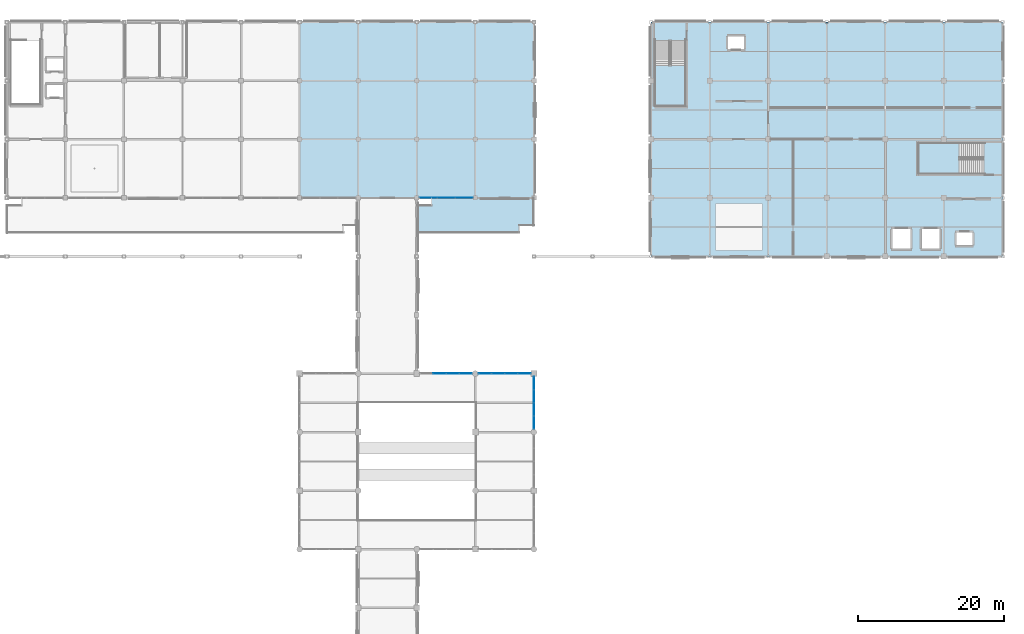
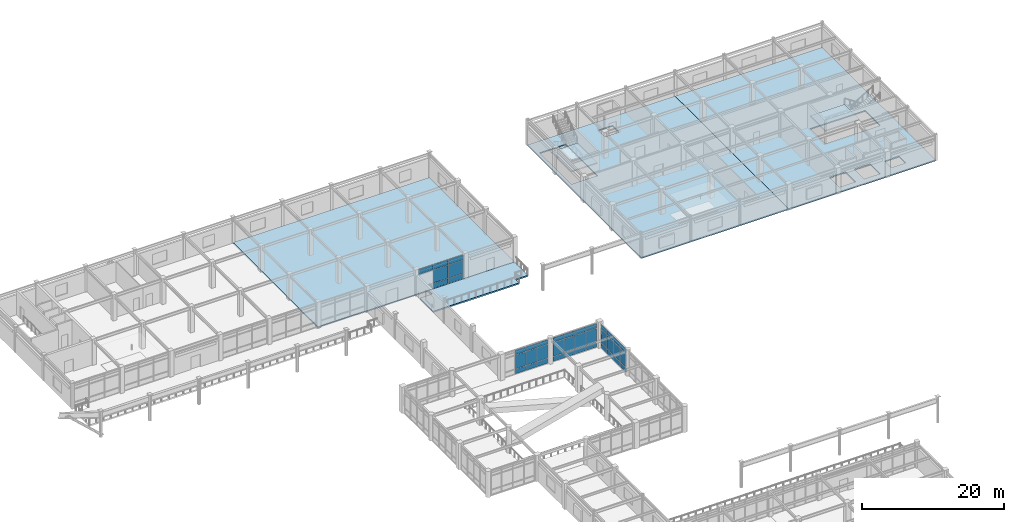
# One storey, part 58 of 78: 40 plates, 6 slabs, 6 elements without a shape of their own.
"""IFC4 building model written with IfcOpenShell, lengths in metres."""

from ifc_helpers import new_model, si_unit, direction, frame, origin, origin_2d, place, context, subcontext, project, spatial, polyline, rectangle, outline, extrude, material, layer, layer_set, type_object, element, aggregate, save


model = new_model("IFC4")

# Units and contexts
model_context = context("Model", 3, precision=1e-05, world=origin(), true_north=direction((0.0, 1.0)))
body_context = subcontext(model_context, "Body", "Model", "MODEL_VIEW")
ifc_project = project(units=[si_unit("LENGTHUNIT", "METRE"), si_unit("AREAUNIT", "SQUARE_METRE"), si_unit("VOLUMEUNIT", "CUBIC_METRE"), si_unit("PLANEANGLEUNIT", "RADIAN"), si_unit("MASSUNIT", "GRAM", prefix="KILO")], contexts=[model_context])

# Site, building, storey
site_placement = place(None, origin())
site = spatial("IfcSite", under=ifc_project, at=site_placement, CompositionType="ELEMENT")
building_placement = place(site_placement, origin())
building = spatial("IfcBuilding", under=site, at=building_placement, Name="Solmirada Galleria", CompositionType="ELEMENT")
storey_placement = place(building_placement, frame((0.0, 0.0, 23.89990234375)))
storey = spatial("IfcBuildingStorey", under=building, at=storey_placement, Name="L05", CompositionType="ELEMENT", Elevation=23.89990234375)

# Curtain wall, plates
ifc_material_1 = material(Name="Impact-resistant low-E double glazing", Category="glass")
curtain_wall_type_1 = type_object("IfcCurtainWallType", Name="CW-FZ3-L05-B4-L072", PredefinedType="NOTDEFINED", material=ifc_material_1)
curtain_wall_1_placement = place(storey_placement, origin())
curtain_wall_1 = element("IfcCurtainWall", 1, at=curtain_wall_1_placement, inside=storey, type_object=curtain_wall_type_1, Name="Terrace and arcade storefront CW-L05-174", PredefinedType="NOTDEFINED")
ifc_layer_1 = layer(ifc_material_1, 0.028076171875)
ifc_layer_set_1 = layer_set([ifc_layer_1], Name="Impact-resistant low-E double glazing")
plate_type_1 = type_object("IfcPlateType", Name="CW-PNL-CW33-T28", PredefinedType="CURTAIN_PANEL", material=ifc_layer_set_1)
plate_1_placement = place(storey_placement, frame((99.1005859375, 72.0, 0.06005859375), z_axis=(0.0, 0.0, 1.0), x_axis=(1.0, 0.0, 0.0)))
plate_1 = element("IfcPlate", 2, at=plate_1_placement, type_object=plate_type_1, Name="CW33 panel 2.1", PredefinedType="CURTAIN_PANEL", context=body_context, shape_type="SweptSolid", body=[
    extrude(rectangle(XDim=1.739013671875, YDim=0.028076171875, at=origin_2d()), origin(), (0.0, 0.0, 1.0), 0.81005859375),
])
plate_2_placement = place(storey_placement, frame((99.1005859375, 72.0, 0.929931640625), z_axis=(0.0, 0.0, 1.0), x_axis=(1.0, 0.0, 0.0)))
plate_2 = element("IfcPlate", 3, at=plate_2_placement, type_object=plate_type_1, Name="CW33 panel 2.2", PredefinedType="CURTAIN_PANEL", context=body_context, shape_type="SweptSolid", body=[
    extrude(rectangle(XDim=1.739013671875, YDim=0.028076171875, at=origin_2d()), origin(), (0.0, 0.0, 1.0), 2.35009765625),
])
plate_3_placement = place(storey_placement, frame((99.1005859375, 72.0, 3.33984375), z_axis=(0.0, 0.0, 1.0), x_axis=(1.0, 0.0, 0.0)))
plate_3 = element("IfcPlate", 4, at=plate_3_placement, type_object=plate_type_1, Name="CW33 panel 2.3", PredefinedType="CURTAIN_PANEL", context=body_context, shape_type="SweptSolid", body=[
    extrude(rectangle(XDim=1.739013671875, YDim=0.028076171875, at=origin_2d()), origin(), (0.0, 0.0, 1.0), 0.820068359375),
])
plate_4_placement = place(storey_placement, frame((100.8994140625, 72.0, 0.06005859375), z_axis=(0.0, 0.0, 1.0), x_axis=(1.0, 0.0, 0.0)))
plate_4 = element("IfcPlate", 5, at=plate_4_placement, type_object=plate_type_1, Name="CW33 panel 3.1", PredefinedType="CURTAIN_PANEL", context=body_context, shape_type="SweptSolid", body=[
    extrude(rectangle(XDim=1.739013671875, YDim=0.028076171875, at=origin_2d()), origin(), (0.0, 0.0, 1.0), 0.81005859375),
])
plate_5_placement = place(storey_placement, frame((100.8994140625, 72.0, 0.929931640625), z_axis=(0.0, 0.0, 1.0), x_axis=(1.0, 0.0, 0.0)))
plate_5 = element("IfcPlate", 6, at=plate_5_placement, type_object=plate_type_1, Name="CW33 panel 3.2", PredefinedType="CURTAIN_PANEL", context=body_context, shape_type="SweptSolid", body=[
    extrude(rectangle(XDim=1.739013671875, YDim=0.028076171875, at=origin_2d()), origin(), (0.0, 0.0, 1.0), 2.35009765625),
])
plate_6_placement = place(storey_placement, frame((100.8994140625, 72.0, 3.33984375), z_axis=(0.0, 0.0, 1.0), x_axis=(1.0, 0.0, 0.0)))
plate_6 = element("IfcPlate", 7, at=plate_6_placement, type_object=plate_type_1, Name="CW33 panel 3.3", PredefinedType="CURTAIN_PANEL", context=body_context, shape_type="SweptSolid", body=[
    extrude(rectangle(XDim=1.739013671875, YDim=0.028076171875, at=origin_2d()), origin(), (0.0, 0.0, 1.0), 0.820068359375),
])
plate_7_placement = place(storey_placement, frame((102.68359375, 72.0, 0.06005859375), z_axis=(0.0, 0.0, 1.0), x_axis=(1.0, 0.0, 0.0)))
plate_7 = element("IfcPlate", 8, at=plate_7_placement, type_object=plate_type_1, Name="CW33 panel 4.1", PredefinedType="CURTAIN_PANEL", context=body_context, shape_type="SweptSolid", body=[
    extrude(rectangle(XDim=1.708984375, YDim=0.028076171875, at=origin_2d()), origin(), (0.0, 0.0, 1.0), 0.81005859375),
])
plate_8_placement = place(storey_placement, frame((102.68359375, 72.0, 0.929931640625), z_axis=(0.0, 0.0, 1.0), x_axis=(1.0, 0.0, 0.0)))
plate_8 = element("IfcPlate", 9, at=plate_8_placement, type_object=plate_type_1, Name="CW33 panel 4.2", PredefinedType="CURTAIN_PANEL", context=body_context, shape_type="SweptSolid", body=[
    extrude(rectangle(XDim=1.708984375, YDim=0.028076171875, at=origin_2d()), origin(), (0.0, 0.0, 1.0), 2.35009765625),
])
plate_9_placement = place(storey_placement, frame((102.68359375, 72.0, 3.33984375), z_axis=(0.0, 0.0, 1.0), x_axis=(1.0, 0.0, 0.0)))
plate_9 = element("IfcPlate", 10, at=plate_9_placement, type_object=plate_type_1, Name="CW33 panel 4.3", PredefinedType="CURTAIN_PANEL", context=body_context, shape_type="SweptSolid", body=[
    extrude(rectangle(XDim=1.708984375, YDim=0.028076171875, at=origin_2d()), origin(), (0.0, 0.0, 1.0), 0.820068359375),
])
aggregate(curtain_wall_1, [plate_1, plate_2, plate_3, plate_4, plate_5, plate_6, plate_7, plate_8, plate_9])

curtain_wall_2_placement = place(storey_placement, origin())
curtain_wall_2 = element("IfcCurtainWall", 11, at=curtain_wall_2_placement, inside=storey, type_object=curtain_wall_type_1, Name="Terrace and arcade storefront CW-L05-175", PredefinedType="NOTDEFINED")
plate_10_placement = place(storey_placement, frame((105.31640625, 72.0, 0.06005859375), z_axis=(0.0, 0.0, 1.0), x_axis=(1.0, 0.0, 0.0)))
plate_10 = element("IfcPlate", 12, at=plate_10_placement, type_object=plate_type_1, Name="CW33 panel 1.1", PredefinedType="CURTAIN_PANEL", context=body_context, shape_type="SweptSolid", body=[
    extrude(rectangle(XDim=1.708984375, YDim=0.028076171875, at=origin_2d()), origin(), (0.0, 0.0, 1.0), 0.81005859375),
])
plate_11_placement = place(storey_placement, frame((105.31640625, 72.0, 0.929931640625), z_axis=(0.0, 0.0, 1.0), x_axis=(1.0, 0.0, 0.0)))
plate_11 = element("IfcPlate", 13, at=plate_11_placement, type_object=plate_type_1, Name="CW33 panel 1.2", PredefinedType="CURTAIN_PANEL", context=body_context, shape_type="SweptSolid", body=[
    extrude(rectangle(XDim=1.708984375, YDim=0.028076171875, at=origin_2d()), origin(), (0.0, 0.0, 1.0), 2.35009765625),
])
plate_12_placement = place(storey_placement, frame((105.31640625, 72.0, 3.33984375), z_axis=(0.0, 0.0, 1.0), x_axis=(1.0, 0.0, 0.0)))
plate_12 = element("IfcPlate", 14, at=plate_12_placement, type_object=plate_type_1, Name="CW33 panel 1.3", PredefinedType="CURTAIN_PANEL", context=body_context, shape_type="SweptSolid", body=[
    extrude(rectangle(XDim=1.708984375, YDim=0.028076171875, at=origin_2d()), origin(), (0.0, 0.0, 1.0), 0.820068359375),
])
plate_13_placement = place(storey_placement, frame((107.1005859375, 72.0, 0.06005859375), z_axis=(0.0, 0.0, 1.0), x_axis=(1.0, 0.0, 0.0)))
plate_13 = element("IfcPlate", 15, at=plate_13_placement, type_object=plate_type_1, Name="CW33 panel 2.1", PredefinedType="CURTAIN_PANEL", context=body_context, shape_type="SweptSolid", body=[
    extrude(rectangle(XDim=1.739013671875, YDim=0.028076171875, at=origin_2d()), origin(), (0.0, 0.0, 1.0), 0.81005859375),
])
plate_14_placement = place(storey_placement, frame((107.1005859375, 72.0, 0.929931640625), z_axis=(0.0, 0.0, 1.0), x_axis=(1.0, 0.0, 0.0)))
plate_14 = element("IfcPlate", 16, at=plate_14_placement, type_object=plate_type_1, Name="CW33 panel 2.2", PredefinedType="CURTAIN_PANEL", context=body_context, shape_type="SweptSolid", body=[
    extrude(rectangle(XDim=1.739013671875, YDim=0.028076171875, at=origin_2d()), origin(), (0.0, 0.0, 1.0), 2.35009765625),
])
plate_15_placement = place(storey_placement, frame((107.1005859375, 72.0, 3.33984375), z_axis=(0.0, 0.0, 1.0), x_axis=(1.0, 0.0, 0.0)))
plate_15 = element("IfcPlate", 17, at=plate_15_placement, type_object=plate_type_1, Name="CW33 panel 2.3", PredefinedType="CURTAIN_PANEL", context=body_context, shape_type="SweptSolid", body=[
    extrude(rectangle(XDim=1.739013671875, YDim=0.028076171875, at=origin_2d()), origin(), (0.0, 0.0, 1.0), 0.820068359375),
])
plate_16_placement = place(storey_placement, frame((108.8994140625, 72.0, 0.06005859375), z_axis=(0.0, 0.0, 1.0), x_axis=(1.0, 0.0, 0.0)))
plate_16 = element("IfcPlate", 18, at=plate_16_placement, type_object=plate_type_1, Name="CW33 panel 3.1", PredefinedType="CURTAIN_PANEL", context=body_context, shape_type="SweptSolid", body=[
    extrude(rectangle(XDim=1.739013671875, YDim=0.028076171875, at=origin_2d()), origin(), (0.0, 0.0, 1.0), 0.81005859375),
])
plate_17_placement = place(storey_placement, frame((108.8994140625, 72.0, 0.929931640625), z_axis=(0.0, 0.0, 1.0), x_axis=(1.0, 0.0, 0.0)))
plate_17 = element("IfcPlate", 19, at=plate_17_placement, type_object=plate_type_1, Name="CW33 panel 3.2", PredefinedType="CURTAIN_PANEL", context=body_context, shape_type="SweptSolid", body=[
    extrude(rectangle(XDim=1.739013671875, YDim=0.028076171875, at=origin_2d()), origin(), (0.0, 0.0, 1.0), 2.35009765625),
])
plate_18_placement = place(storey_placement, frame((108.8994140625, 72.0, 3.33984375), z_axis=(0.0, 0.0, 1.0), x_axis=(1.0, 0.0, 0.0)))
plate_18 = element("IfcPlate", 20, at=plate_18_placement, type_object=plate_type_1, Name="CW33 panel 3.3", PredefinedType="CURTAIN_PANEL", context=body_context, shape_type="SweptSolid", body=[
    extrude(rectangle(XDim=1.739013671875, YDim=0.028076171875, at=origin_2d()), origin(), (0.0, 0.0, 1.0), 0.820068359375),
])
plate_19_placement = place(storey_placement, frame((110.68359375, 72.0, 0.06005859375), z_axis=(0.0, 0.0, 1.0), x_axis=(1.0, 0.0, 0.0)))
plate_19 = element("IfcPlate", 21, at=plate_19_placement, type_object=plate_type_1, Name="CW33 panel 4.1", PredefinedType="CURTAIN_PANEL", context=body_context, shape_type="SweptSolid", body=[
    extrude(rectangle(XDim=1.708984375, YDim=0.028076171875, at=origin_2d()), origin(), (0.0, 0.0, 1.0), 0.81005859375),
])
plate_20_placement = place(storey_placement, frame((110.68359375, 72.0, 0.929931640625), z_axis=(0.0, 0.0, 1.0), x_axis=(1.0, 0.0, 0.0)))
plate_20 = element("IfcPlate", 22, at=plate_20_placement, type_object=plate_type_1, Name="CW33 panel 4.2", PredefinedType="CURTAIN_PANEL", context=body_context, shape_type="SweptSolid", body=[
    extrude(rectangle(XDim=1.708984375, YDim=0.028076171875, at=origin_2d()), origin(), (0.0, 0.0, 1.0), 2.35009765625),
])
plate_21_placement = place(storey_placement, frame((110.68359375, 72.0, 3.33984375), z_axis=(0.0, 0.0, 1.0), x_axis=(1.0, 0.0, 0.0)))
plate_21 = element("IfcPlate", 23, at=plate_21_placement, type_object=plate_type_1, Name="CW33 panel 4.3", PredefinedType="CURTAIN_PANEL", context=body_context, shape_type="SweptSolid", body=[
    extrude(rectangle(XDim=1.708984375, YDim=0.028076171875, at=origin_2d()), origin(), (0.0, 0.0, 1.0), 0.820068359375),
])
aggregate(curtain_wall_2, [plate_10, plate_11, plate_12, plate_13, plate_14, plate_15, plate_16, plate_17, plate_18, plate_19, plate_20, plate_21])

curtain_wall_3_placement = place(storey_placement, origin())
curtain_wall_3 = element("IfcCurtainWall", 24, at=curtain_wall_3_placement, inside=storey, type_object=curtain_wall_type_1, Name="Terrace and arcade storefront CW-L05-176", PredefinedType="NOTDEFINED")
plate_22_placement = place(storey_placement, frame((112.0, 70.68359375, 0.06005859375), z_axis=(0.0, 0.0, 1.0), x_axis=(0.0, -1.0, 0.0)))
plate_22 = element("IfcPlate", 25, at=plate_22_placement, type_object=plate_type_1, Name="CW33 panel 1.1", PredefinedType="CURTAIN_PANEL", context=body_context, shape_type="SweptSolid", body=[
    extrude(rectangle(XDim=1.708984375, YDim=0.028076171875, at=origin_2d()), origin(), (0.0, 0.0, 1.0), 0.81005859375),
])
plate_23_placement = place(storey_placement, frame((112.0, 70.68359375, 0.929931640625), z_axis=(0.0, 0.0, 1.0), x_axis=(0.0, -1.0, 0.0)))
plate_23 = element("IfcPlate", 26, at=plate_23_placement, type_object=plate_type_1, Name="CW33 panel 1.2", PredefinedType="CURTAIN_PANEL", context=body_context, shape_type="SweptSolid", body=[
    extrude(rectangle(XDim=1.708984375, YDim=0.028076171875, at=origin_2d()), origin(), (0.0, 0.0, 1.0), 2.35009765625),
])
plate_24_placement = place(storey_placement, frame((112.0, 70.68359375, 3.33984375), z_axis=(0.0, 0.0, 1.0), x_axis=(0.0, -1.0, 0.0)))
plate_24 = element("IfcPlate", 27, at=plate_24_placement, type_object=plate_type_1, Name="CW33 panel 1.3", PredefinedType="CURTAIN_PANEL", context=body_context, shape_type="SweptSolid", body=[
    extrude(rectangle(XDim=1.708984375, YDim=0.028076171875, at=origin_2d()), origin(), (0.0, 0.0, 1.0), 0.820068359375),
])
plate_25_placement = place(storey_placement, frame((112.0, 68.8994140625, 0.06005859375), z_axis=(0.0, 0.0, 1.0), x_axis=(0.0, -1.0, 0.0)))
plate_25 = element("IfcPlate", 28, at=plate_25_placement, type_object=plate_type_1, Name="CW33 panel 2.1", PredefinedType="CURTAIN_PANEL", context=body_context, shape_type="SweptSolid", body=[
    extrude(rectangle(XDim=1.739013671875, YDim=0.028076171875, at=origin_2d()), origin(), (0.0, 0.0, 1.0), 0.81005859375),
])
plate_26_placement = place(storey_placement, frame((112.0, 68.8994140625, 0.929931640625), z_axis=(0.0, 0.0, 1.0), x_axis=(0.0, -1.0, 0.0)))
plate_26 = element("IfcPlate", 29, at=plate_26_placement, type_object=plate_type_1, Name="CW33 panel 2.2", PredefinedType="CURTAIN_PANEL", context=body_context, shape_type="SweptSolid", body=[
    extrude(rectangle(XDim=1.739013671875, YDim=0.028076171875, at=origin_2d()), origin(), (0.0, 0.0, 1.0), 2.35009765625),
])
plate_27_placement = place(storey_placement, frame((112.0, 68.8994140625, 3.33984375), z_axis=(0.0, 0.0, 1.0), x_axis=(0.0, -1.0, 0.0)))
plate_27 = element("IfcPlate", 30, at=plate_27_placement, type_object=plate_type_1, Name="CW33 panel 2.3", PredefinedType="CURTAIN_PANEL", context=body_context, shape_type="SweptSolid", body=[
    extrude(rectangle(XDim=1.739013671875, YDim=0.028076171875, at=origin_2d()), origin(), (0.0, 0.0, 1.0), 0.820068359375),
])
plate_28_placement = place(storey_placement, frame((112.0, 67.1005859375, 0.06005859375), z_axis=(0.0, 0.0, 1.0), x_axis=(0.0, -1.0, 0.0)))
plate_28 = element("IfcPlate", 31, at=plate_28_placement, type_object=plate_type_1, Name="CW33 panel 3.1", PredefinedType="CURTAIN_PANEL", context=body_context, shape_type="SweptSolid", body=[
    extrude(rectangle(XDim=1.739013671875, YDim=0.028076171875, at=origin_2d()), origin(), (0.0, 0.0, 1.0), 0.81005859375),
])
plate_29_placement = place(storey_placement, frame((112.0, 67.1005859375, 0.929931640625), z_axis=(0.0, 0.0, 1.0), x_axis=(0.0, -1.0, 0.0)))
plate_29 = element("IfcPlate", 32, at=plate_29_placement, type_object=plate_type_1, Name="CW33 panel 3.2", PredefinedType="CURTAIN_PANEL", context=body_context, shape_type="SweptSolid", body=[
    extrude(rectangle(XDim=1.739013671875, YDim=0.028076171875, at=origin_2d()), origin(), (0.0, 0.0, 1.0), 2.35009765625),
])
plate_30_placement = place(storey_placement, frame((112.0, 67.1005859375, 3.33984375), z_axis=(0.0, 0.0, 1.0), x_axis=(0.0, -1.0, 0.0)))
plate_30 = element("IfcPlate", 33, at=plate_30_placement, type_object=plate_type_1, Name="CW33 panel 3.3", PredefinedType="CURTAIN_PANEL", context=body_context, shape_type="SweptSolid", body=[
    extrude(rectangle(XDim=1.739013671875, YDim=0.028076171875, at=origin_2d()), origin(), (0.0, 0.0, 1.0), 0.820068359375),
])
plate_31_placement = place(storey_placement, frame((112.0, 65.31640625, 0.06005859375), z_axis=(0.0, 0.0, 1.0), x_axis=(0.0, -1.0, 0.0)))
plate_31 = element("IfcPlate", 34, at=plate_31_placement, type_object=plate_type_1, Name="CW33 panel 4.1", PredefinedType="CURTAIN_PANEL", context=body_context, shape_type="SweptSolid", body=[
    extrude(rectangle(XDim=1.708984375, YDim=0.028076171875, at=origin_2d()), origin(), (0.0, 0.0, 1.0), 0.81005859375),
])
plate_32_placement = place(storey_placement, frame((112.0, 65.31640625, 0.929931640625), z_axis=(0.0, 0.0, 1.0), x_axis=(0.0, -1.0, 0.0)))
plate_32 = element("IfcPlate", 35, at=plate_32_placement, type_object=plate_type_1, Name="CW33 panel 4.2", PredefinedType="CURTAIN_PANEL", context=body_context, shape_type="SweptSolid", body=[
    extrude(rectangle(XDim=1.708984375, YDim=0.028076171875, at=origin_2d()), origin(), (0.0, 0.0, 1.0), 2.35009765625),
])
plate_33_placement = place(storey_placement, frame((112.0, 65.31640625, 3.33984375), z_axis=(0.0, 0.0, 1.0), x_axis=(0.0, -1.0, 0.0)))
plate_33 = element("IfcPlate", 36, at=plate_33_placement, type_object=plate_type_1, Name="CW33 panel 4.3", PredefinedType="CURTAIN_PANEL", context=body_context, shape_type="SweptSolid", body=[
    extrude(rectangle(XDim=1.708984375, YDim=0.028076171875, at=origin_2d()), origin(), (0.0, 0.0, 1.0), 0.820068359375),
])
aggregate(curtain_wall_3, [plate_22, plate_23, plate_24, plate_25, plate_26, plate_27, plate_28, plate_29, plate_30, plate_31, plate_32, plate_33])

curtain_wall_type_2 = type_object("IfcCurtainWallType", Name="CW-FZ4-L05-B3-L074", PredefinedType="NOTDEFINED", material=ifc_material_1)
curtain_wall_4_placement = place(storey_placement, origin())
curtain_wall_4 = element("IfcCurtainWall", 37, at=curtain_wall_4_placement, inside=storey, type_object=curtain_wall_type_2, Name="Terrace and arcade storefront CW-L05-173", PredefinedType="NOTDEFINED")
ifc_layer_2 = layer(ifc_material_1, 0.028076171875)
ifc_layer_set_2 = layer_set([ifc_layer_2], Name="Impact-resistant low-E double glazing")
plate_type_2 = type_object("IfcPlateType", Name="CW-PNL-CW34-T28", PredefinedType="CURTAIN_PANEL", material=ifc_layer_set_2)
plate_34_placement = place(storey_placement, frame((102.43359375, 96.0, 0.06005859375), z_axis=(0.0, 0.0, 1.0), x_axis=(-1.0, 0.0, 0.0)))
plate_34 = element("IfcPlate", 38, at=plate_34_placement, type_object=plate_type_2, Name="CW34 panel 1.1", PredefinedType="CURTAIN_PANEL", context=body_context, shape_type="SweptSolid", body=[
    extrude(rectangle(XDim=2.358642578125, YDim=0.028076171875, at=origin_2d()), origin(), (0.0, 0.0, 1.0), 0.8701171875),
])
plate_35_placement = place(storey_placement, frame((102.43359375, 96.0, 0.990234375), z_axis=(0.0, 0.0, 1.0), x_axis=(-1.0, 0.0, 0.0)))
plate_35 = element("IfcPlate", 39, at=plate_35_placement, type_object=plate_type_2, Name="CW34 panel 1.2", PredefinedType="CURTAIN_PANEL", context=body_context, shape_type="SweptSolid", body=[
    extrude(rectangle(XDim=2.358642578125, YDim=0.028076171875, at=origin_2d()), origin(), (0.0, 0.0, 1.0), 2.239990234375),
])
plate_36_placement = place(storey_placement, frame((102.43359375, 96.0, 3.2900390625), z_axis=(0.0, 0.0, 1.0), x_axis=(-1.0, 0.0, 0.0)))
plate_36 = element("IfcPlate", 40, at=plate_36_placement, type_object=plate_type_2, Name="CW34 panel 1.3", PredefinedType="CURTAIN_PANEL", context=body_context, shape_type="SweptSolid", body=[
    extrude(rectangle(XDim=2.358642578125, YDim=0.028076171875, at=origin_2d()), origin(), (0.0, 0.0, 1.0), 0.8701171875),
])
plate_37_placement = place(storey_placement, frame((100.0, 96.0, 0.06005859375), z_axis=(0.0, 0.0, 1.0), x_axis=(-1.0, 0.0, 0.0)))
plate_37 = element("IfcPlate", 41, at=plate_37_placement, type_object=plate_type_2, Name="CW34 panel 2.1", PredefinedType="CURTAIN_PANEL", context=body_context, shape_type="SweptSolid", body=[
    extrude(rectangle(XDim=2.388671875, YDim=0.028076171875, at=origin_2d()), origin(), (0.0, 0.0, 1.0), 0.8701171875),
])
plate_38_placement = place(storey_placement, frame((100.0, 96.0, 0.990234375), z_axis=(0.0, 0.0, 1.0), x_axis=(-1.0, 0.0, 0.0)))
plate_38 = element("IfcPlate", 42, at=plate_38_placement, type_object=plate_type_2, Name="CW34 panel 2.2", PredefinedType="CURTAIN_PANEL", context=body_context, shape_type="SweptSolid", body=[
    extrude(rectangle(XDim=2.388671875, YDim=0.028076171875, at=origin_2d()), origin(), (0.0, 0.0, 1.0), 2.239990234375),
])
plate_39_placement = place(storey_placement, frame((100.0, 96.0, 3.2900390625), z_axis=(0.0, 0.0, 1.0), x_axis=(-1.0, 0.0, 0.0)))
plate_39 = element("IfcPlate", 43, at=plate_39_placement, type_object=plate_type_2, Name="CW34 panel 2.3", PredefinedType="CURTAIN_PANEL", context=body_context, shape_type="SweptSolid", body=[
    extrude(rectangle(XDim=2.388671875, YDim=0.028076171875, at=origin_2d()), origin(), (0.0, 0.0, 1.0), 0.8701171875),
])
plate_40_placement = place(storey_placement, frame((97.56640625, 96.0, 3.2900390625), z_axis=(0.0, 0.0, 1.0), x_axis=(-1.0, 0.0, 0.0)))
plate_40 = element("IfcPlate", 44, at=plate_40_placement, type_object=plate_type_2, Name="CW34 panel 3.3", PredefinedType="CURTAIN_PANEL", context=body_context, shape_type="SweptSolid", body=[
    extrude(rectangle(XDim=2.358642578125, YDim=0.028076171875, at=origin_2d()), origin(), (0.0, 0.0, 1.0), 0.8701171875),
])
aggregate(curtain_wall_4, [plate_34, plate_35, plate_36, plate_37, plate_38, plate_39, plate_40])

# Slabs
ifc_material_2 = material(Name="Concrete C35/45", Category="concrete")
ifc_layer_3 = layer(ifc_material_2, 0.199951171875)
ifc_layer_set_3 = layer_set([ifc_layer_3], Name="Concrete C35/45")
slab_type_1 = type_object("IfcSlabType", Name="SLB-FLOOR-200", PredefinedType="FLOOR", material=ifc_layer_set_3)
slab_1_placement = place(storey_placement, frame((0.0, 0.0, -0.199951171875)))
element("IfcSlab", 45, at=slab_1_placement, inside=storey, type_object=slab_type_1, Name="Slab L05-NORTH-E", PredefinedType="FLOOR", context=body_context, shape_type="SweptSolid", body=[
    extrude(outline(polyline([(80.0, 96.0), (112.0, 96.0), (112.0, 120.0), (80.0, 120.0), (80.0, 96.0)])), origin(), (0.0, 0.0, 1.0), 0.199951171875),
])
slab_2_placement = place(storey_placement, frame((0.0, 0.0, -0.199951171875)))
element("IfcSlab", 46, at=slab_2_placement, inside=storey, type_object=slab_type_1, Name="Slab L05-NE-W", PredefinedType="FLOOR", context=body_context, shape_type="SweptSolid", body=[
    extrude(outline(polyline([(128.0, 88.0), (152.0, 88.0), (152.0, 120.0), (128.0, 120.0), (128.0, 88.0)]), holes=[polyline([(128.5, 108.5), (132.75, 108.5), (132.75, 117.449951171875), (128.5, 117.449951171875), (128.5, 108.5)]), polyline([(138.449951171875, 116.27490234375), (140.75, 116.27490234375), (140.75, 118.125), (138.449951171875, 118.125), (138.449951171875, 116.27490234375)])]), origin(), (0.0, 0.0, 1.0), 0.199951171875),
])
slab_3_placement = place(storey_placement, frame((0.0, 0.0, -0.199951171875)))
element("IfcSlab", 47, at=slab_3_placement, inside=storey, type_object=slab_type_1, Name="Slab L05-NE-E", PredefinedType="FLOOR", context=body_context, shape_type="SweptSolid", body=[
    extrude(outline(polyline([(152.0, 88.0), (176.0, 88.0), (176.0, 120.0), (152.0, 120.0), (152.0, 88.0)]), holes=[polyline([(164.5, 99.25), (173.449951171875, 99.25), (173.449951171875, 103.5), (164.5, 103.5), (164.5, 99.25)]), polyline([(169.64990234375, 89.47509765625), (171.949951171875, 89.47509765625), (171.949951171875, 91.324951171875), (169.64990234375, 91.324951171875), (169.64990234375, 89.47509765625)]), polyline([(164.89990234375, 89.0), (167.5, 89.0), (167.5, 91.800048828125), (164.89990234375, 91.800048828125), (164.89990234375, 89.0)]), polyline([(160.89990234375, 89.0), (163.5, 89.0), (163.5, 91.800048828125), (160.89990234375, 91.800048828125), (160.89990234375, 89.0)])]), origin(), (0.0, 0.0, 1.0), 0.199951171875),
])

# Stair, slab
stair_type = type_object("IfcStairType", Name="STR-DOG-205-H45", PredefinedType="HALF_TURN_STAIR", material=ifc_material_2)
stair_1_placement = place(storey_placement, origin())
stair_1 = element("IfcStair", 48, at=stair_1_placement, inside=storey, type_object=stair_type, Name="L05 North Avenue High-Rise Core Exit Stair ST3", PredefinedType="HALF_TURN_STAIR")
ifc_layer_4 = layer(ifc_material_2, 0.199951171875)
ifc_layer_set_4 = layer_set([ifc_layer_4], Name="Concrete C35/45")
slab_type_2 = type_object("IfcSlabType", Name="SLB-LAND-200", PredefinedType="LANDING", material=ifc_layer_set_4)
slab_4_placement = place(storey_placement, frame((0.0, 0.0, 2.050048828125)))
slab_4 = element("IfcSlab", 49, at=slab_4_placement, type_object=slab_type_2, Name="ST3 landing 1", PredefinedType="LANDING", context=body_context, shape_type="SweptSolid", body=[
    extrude(outline(polyline([(128.5, 114.090087890625), (128.5, 108.5), (132.75, 108.5), (132.75, 114.090087890625), (128.5, 114.090087890625)])), origin(), (0.0, 0.0, 1.0), 0.199951171875),
])
aggregate(stair_1, [slab_4])

stair_2_placement = place(storey_placement, origin())
stair_2 = element("IfcStair", 50, at=stair_2_placement, inside=storey, type_object=stair_type, Name="L05 East Avenue High-Rise and Freight Core Exit Stair ST4", PredefinedType="HALF_TURN_STAIR")
slab_5_placement = place(storey_placement, frame((0.0, 0.0, 2.050048828125)))
slab_5 = element("IfcSlab", 51, at=slab_5_placement, type_object=slab_type_2, Name="ST4 landing 1", PredefinedType="LANDING", context=body_context, shape_type="SweptSolid", body=[
    extrude(outline(polyline([(170.090087890625, 103.5), (164.5, 103.5), (164.5, 99.25), (170.090087890625, 99.25), (170.090087890625, 103.5)])), origin(), (0.0, 0.0, 1.0), 0.199951171875),
])
aggregate(stair_2, [slab_5])

# Slab
ifc_layer_5 = layer(ifc_material_2, 0.239990234375)
ifc_layer_set_5 = layer_set([ifc_layer_5], Name="Concrete C35/45")
slab_type_3 = type_object("IfcSlabType", Name="SLB-TERR-240", PredefinedType="FLOOR", material=ifc_layer_set_5)
slab_6_placement = place(storey_placement, frame((0.0, 0.0, -0.239990234375)))
element("IfcSlab", 52, at=slab_6_placement, inside=storey, type_object=slab_type_3, Name="Slab L05-TERR-NE", PredefinedType="FLOOR", context=body_context, shape_type="SweptSolid", body=[
    extrude(outline(polyline([(96.0, 91.199951171875), (110.0, 91.199951171875), (110.0, 92.199951171875), (112.0, 92.199951171875), (112.0, 96.0), (98.0, 96.0), (98.0, 95.0), (96.0, 95.0), (96.0, 91.199951171875)])), origin(), (0.0, 0.0, 1.0), 0.239990234375),
])

save(model, "model.ifc")
